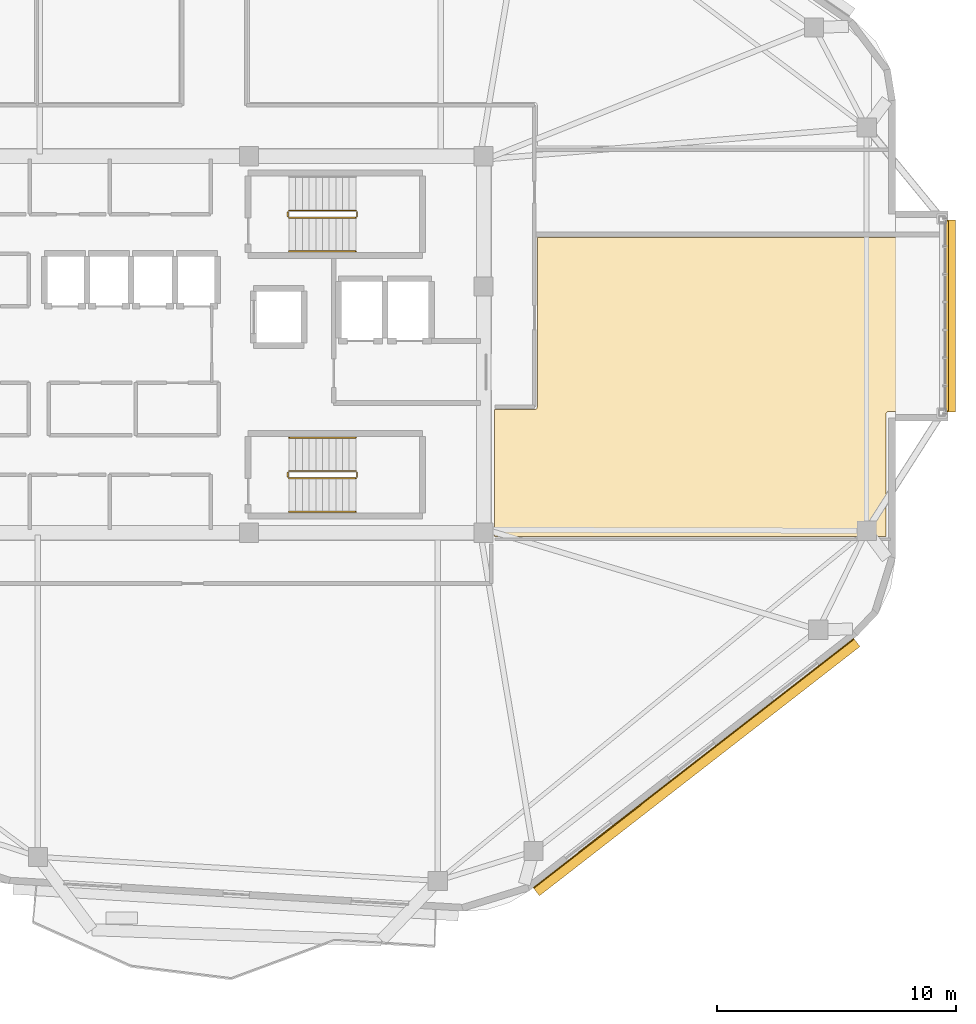
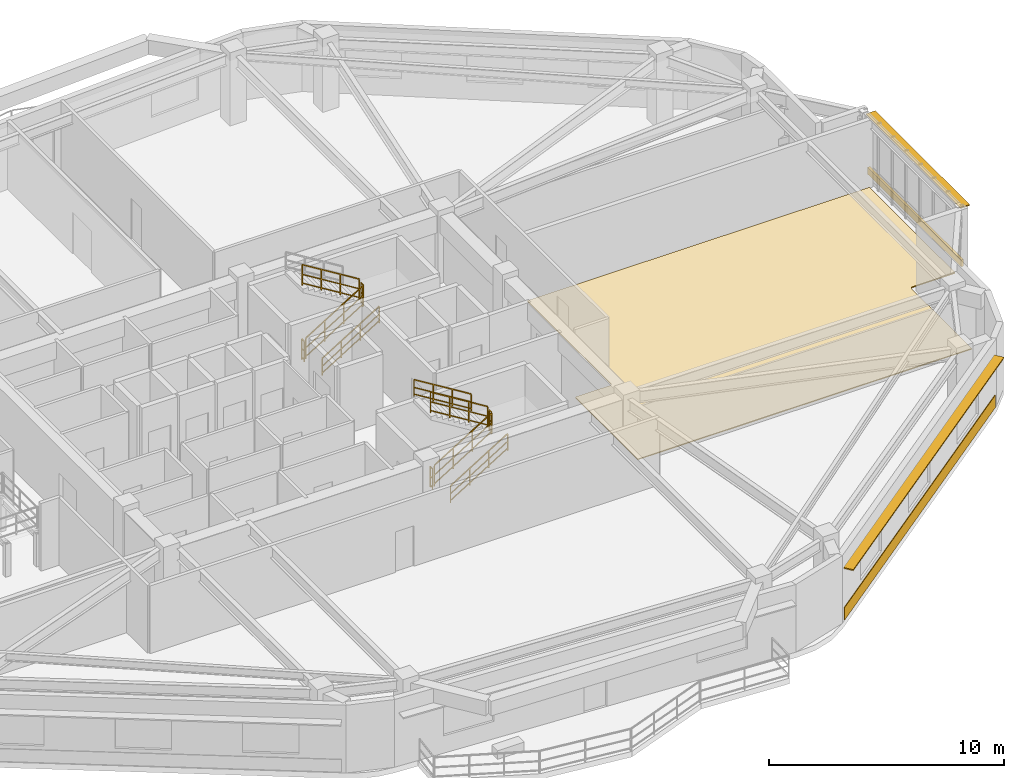
# One storey, part 17 of 18: 11 railings, 3 shading devices, 2 coverings.
"""IFC4 building model written with IfcOpenShell, lengths in metres."""

from ifc_helpers import new_model, si_unit, direction, frame, origin, origin_2d, place, context, subcontext, project, spatial, polyline, rectangle, outline, extrude, material, layer, layer_set, type_object, element, save


model = new_model("IFC4")

# Units and contexts
model_context = context("Model", 3, precision=1e-05, world=origin(), true_north=direction((0.0, 1.0)))
body_context = subcontext(model_context, "Body", "Model", "MODEL_VIEW")
ifc_project = project(units=[si_unit("LENGTHUNIT", "METRE"), si_unit("AREAUNIT", "SQUARE_METRE"), si_unit("VOLUMEUNIT", "CUBIC_METRE"), si_unit("PLANEANGLEUNIT", "RADIAN"), si_unit("MASSUNIT", "GRAM", prefix="KILO")], contexts=[model_context])

# Site, building, storey
site_placement = place(None, origin())
site = spatial("IfcSite", under=ifc_project, at=site_placement, CompositionType="ELEMENT")
building_placement = place(site_placement, origin())
building = spatial("IfcBuilding", under=site, at=building_placement, Name="Zulverin Broadcast Headquarters", CompositionType="ELEMENT")
storey_placement = place(building_placement, frame((0.0, 0.0, 225.0)))
storey = spatial("IfcBuildingStorey", under=building, at=storey_placement, Name="L57", CompositionType="ELEMENT", Elevation=225.0)

# Coverings
ifc_material_1 = material(Name="Brushed pale-aluminium rainscreen cladding", Category="aluminium")
ifc_layer_1 = layer(ifc_material_1, 0.0400390625, Name="Brushed pale-aluminium rainscreen cladding", Category="aluminium")
ifc_layer_set_1 = layer_set([ifc_layer_1], Name="Brushed pale-aluminium rainscreen cladding")
covering_type_1 = type_object("IfcCoveringType", Name="COV-CLAD-PALE", PredefinedType="CLADDING", material=ifc_layer_set_1)
covering_1_placement = place(storey_placement, frame((57.059326171875, 7.6767578125, 0.054931640625), z_axis=(0.0, 0.0, 1.0), x_axis=(0.789459183061, 0.613803061479, 0.0)))
element("IfcCovering", 1, at=covering_1_placement, inside=storey, type_object=covering_type_1, Name="L57 Brushed Pale-Aluminium Spandrel Cladding 2", PredefinedType="CLADDING", context=body_context, shape_type="SweptSolid", body=[
    extrude(rectangle(XDim=16.987548828125, YDim=0.0400390625, at=origin_2d()), origin(), (0.0, 0.0, 1.0), 0.64990234375),
])
ifc_material_2 = material(Name="Anti-static broadcast raised access flooring", Category="stone")
ifc_layer_2 = layer(ifc_material_2, 0.050048828125, Name="Anti-static broadcast raised access flooring", Category="stone")
ifc_layer_set_2 = layer_set([ifc_layer_2], Name="Anti-static broadcast raised access flooring")
covering_type_2 = type_object("IfcCoveringType", Name="COV-FLR-RAISED", PredefinedType="FLOORING", material=ifc_layer_set_2)
covering_2_placement = place(storey_placement, origin())
element("IfcCovering", 2, at=covering_2_placement, inside=storey, type_object=covering_type_2, Name="L57 Broadcast Raised Access Flooring 02", PredefinedType="FLOORING", context=body_context, shape_type="SweptSolid", body=[
    extrude(outline(polyline([(67.300048828125, 22.39208984375), (67.300048828125, 29.679931640625), (50.52001953125, 29.679931640625), (50.52001953125, 22.60009765625), (50.52001953125, 22.587890625), (50.51611328125, 22.575927734375), (50.51611328125, 22.56396484375), (50.511962890625, 22.555908203125), (50.50390625, 22.5439453125), (50.5, 22.531982421875), (50.491943359375, 22.52392578125), (50.48388671875, 22.51611328125), (50.47607421875, 22.508056640625), (50.468017578125, 22.5), (50.4560546875, 22.49609375), (50.444091796875, 22.488037109375), (50.43603515625, 22.48388671875), (50.424072265625, 22.48388671875), (50.412109375, 22.47998046875), (50.39990234375, 22.47998046875), (48.719970703125, 22.47998046875), (48.719970703125, 17.172119140625), (65.10009765625, 17.172119140625), (65.10009765625, 22.27197265625), (65.10009765625, 22.283935546875), (65.10400390625, 22.2958984375), (65.10400390625, 22.30810546875), (65.10791015625, 22.31591796875), (65.115966796875, 22.327880859375), (65.1201171875, 22.340087890625), (65.1279296875, 22.347900390625), (65.135986328125, 22.35595703125), (65.14404296875, 22.364013671875), (65.152099609375, 22.3720703125), (65.1640625, 22.3759765625), (65.176025390625, 22.384033203125), (65.18408203125, 22.387939453125), (65.196044921875, 22.387939453125), (65.2080078125, 22.39208984375), (65.219970703125, 22.39208984375), (67.300048828125, 22.39208984375)])), origin(), (0.0, 0.0, 1.0), 0.050048828125),
])

# Railings
ifc_material_3 = material(Name="Painted galvanized steel tubular guardrail S355JR", Category="steel")
railing_type_1 = type_object("IfcRailingType", Name="RL-ST-GUARD", PredefinedType="GUARDRAIL", material=ifc_material_3)
railing_1_placement = place(storey_placement, frame((40.1298828125, 30.5, 0.172607421875)))
element("IfcRailing", 3, at=railing_1_placement, inside=storey, type_object=railing_type_1, Name="L57 ST-1 stair guard 1", PredefinedType="GUARDRAIL", context=body_context, shape_type="SweptSolid", body=[
    extrude(rectangle(XDim=0.048095703125, YDim=0.048095703125, at=origin_2d()), frame((0.0, 0.0, 1.076171875), z_axis=(0.851089632645, 0.0, 0.525020415988), x_axis=(0.0, 1.0, 0.0)), (0.0, 0.0, 1.0), 3.2900390625),
    extrude(rectangle(XDim=0.0419921875, YDim=0.0419921875, at=origin_2d()), frame((0.0, 0.0, 0.572021484375), z_axis=(0.851089632645, 0.0, 0.525020415988), x_axis=(0.0, 1.0, 0.0)), (0.0, 0.0, 1.0), 3.2900390625),
    extrude(rectangle(XDim=0.0419921875, YDim=0.0419921875, at=origin_2d()), frame((0.0, 0.0, 0.1201171875), z_axis=(0.851089632645, 0.0, 0.525020415988), x_axis=(0.0, 1.0, 0.0)), (0.0, 0.0, 1.0), 3.2900390625),
    extrude(rectangle(XDim=0.0419921875, YDim=0.0419921875, at=origin_2d()), origin(), (0.0, 0.0, 1.0), 1.052001953125),
    extrude(rectangle(XDim=0.0419921875, YDim=0.0419921875, at=origin_2d()), frame((0.933349609375, 0.0, 0.57568359375)), (0.0, 0.0, 1.0), 1.052001953125),
    extrude(rectangle(XDim=0.0419921875, YDim=0.0419921875, at=origin_2d()), frame((1.86669921875, 0.0, 1.151611328125)), (0.0, 0.0, 1.0), 1.052001953125),
    extrude(rectangle(XDim=0.0419921875, YDim=0.0419921875, at=origin_2d()), frame((2.800048828125, 0.0, 1.727294921875)), (0.0, 0.0, 1.0), 1.052001953125),
])
railing_2_placement = place(storey_placement, frame((42.97998046875, 30.550048828125, 1.89990234375)))
element("IfcRailing", 4, at=railing_2_placement, inside=storey, type_object=railing_type_1, Name="L57 ST-1 stair guard 2", PredefinedType="GUARDRAIL", context=body_context, shape_type="SweptSolid", body=[
    extrude(rectangle(XDim=0.048095703125, YDim=0.048095703125, at=origin_2d()), frame((0.0, 0.0, 1.076171875), z_axis=(0.0, 1.0, 0.0), x_axis=(-1.0, 0.0, 0.0)), (0.0, 0.0, 1.0), 0.199951171875),
    extrude(rectangle(XDim=0.0419921875, YDim=0.0419921875, at=origin_2d()), frame((0.0, 0.0, 0.572021484375), z_axis=(0.0, 1.0, 0.0), x_axis=(-1.0, 0.0, 0.0)), (0.0, 0.0, 1.0), 0.199951171875),
    extrude(rectangle(XDim=0.0419921875, YDim=0.0419921875, at=origin_2d()), frame((0.0, 0.0, 0.1201171875), z_axis=(0.0, 1.0, 0.0), x_axis=(-1.0, 0.0, 0.0)), (0.0, 0.0, 1.0), 0.199951171875),
    extrude(rectangle(XDim=0.0419921875, YDim=0.0419921875, at=origin_2d()), origin(), (0.0, 0.0, 1.0), 1.052001953125),
    extrude(rectangle(XDim=0.0419921875, YDim=0.0419921875, at=origin_2d()), frame((0.0, 0.199951171875, 0.0)), (0.0, 0.0, 1.0), 1.052001953125),
])
railing_3_placement = place(storey_placement, frame((42.929931640625, 30.800048828125, 2.07275390625)))
element("IfcRailing", 5, at=railing_3_placement, inside=storey, type_object=railing_type_1, Name="L57 ST-1 stair guard 3", PredefinedType="GUARDRAIL", context=body_context, shape_type="SweptSolid", body=[
    extrude(rectangle(XDim=0.048095703125, YDim=0.048095703125, at=origin_2d()), frame((0.0, 0.0, 1.076171875), z_axis=(-0.851089632645, 0.0, 0.525020415988), x_axis=(0.0, -1.0, 0.0)), (0.0, 0.0, 1.0), 3.2900390625),
    extrude(rectangle(XDim=0.0419921875, YDim=0.0419921875, at=origin_2d()), frame((0.0, 0.0, 0.572021484375), z_axis=(-0.851089632645, 0.0, 0.525020415988), x_axis=(0.0, -1.0, 0.0)), (0.0, 0.0, 1.0), 3.2900390625),
    extrude(rectangle(XDim=0.0419921875, YDim=0.0419921875, at=origin_2d()), frame((0.0, 0.0, 0.1201171875), z_axis=(-0.851089632645, 0.0, 0.525020415988), x_axis=(0.0, -1.0, 0.0)), (0.0, 0.0, 1.0), 3.2900390625),
    extrude(rectangle(XDim=0.0419921875, YDim=0.0419921875, at=origin_2d()), origin(), (0.0, 0.0, 1.0), 1.052001953125),
    extrude(rectangle(XDim=0.0419921875, YDim=0.0419921875, at=origin_2d()), frame((-0.933349609375, 0.0, 0.57568359375)), (0.0, 0.0, 1.0), 1.052001953125),
    extrude(rectangle(XDim=0.0419921875, YDim=0.0419921875, at=origin_2d()), frame((-1.86669921875, 0.0, 1.151611328125)), (0.0, 0.0, 1.0), 1.052001953125),
    extrude(rectangle(XDim=0.0419921875, YDim=0.0419921875, at=origin_2d()), frame((-2.800048828125, 0.0, 1.727294921875)), (0.0, 0.0, 1.0), 1.052001953125),
])
railing_4_placement = place(storey_placement, frame((40.080078125, 30.550048828125, 0.0)))
element("IfcRailing", 6, at=railing_4_placement, inside=storey, type_object=railing_type_1, Name="L57 ST-1 stair guard 4", PredefinedType="GUARDRAIL", context=body_context, shape_type="SweptSolid", body=[
    extrude(rectangle(XDim=0.048095703125, YDim=0.048095703125, at=origin_2d()), frame((0.0, 0.0, 1.076171875), z_axis=(0.0, 1.0, 0.0), x_axis=(-1.0, 0.0, 0.0)), (0.0, 0.0, 1.0), 0.199951171875),
    extrude(rectangle(XDim=0.0419921875, YDim=0.0419921875, at=origin_2d()), frame((0.0, 0.0, 0.572021484375), z_axis=(0.0, 1.0, 0.0), x_axis=(-1.0, 0.0, 0.0)), (0.0, 0.0, 1.0), 0.199951171875),
    extrude(rectangle(XDim=0.0419921875, YDim=0.0419921875, at=origin_2d()), frame((0.0, 0.0, 0.1201171875), z_axis=(0.0, 1.0, 0.0), x_axis=(-1.0, 0.0, 0.0)), (0.0, 0.0, 1.0), 0.199951171875),
    extrude(rectangle(XDim=0.0419921875, YDim=0.0419921875, at=origin_2d()), origin(), (0.0, 0.0, 1.0), 1.052001953125),
    extrude(rectangle(XDim=0.0419921875, YDim=0.0419921875, at=origin_2d()), frame((0.0, 0.199951171875, 0.0)), (0.0, 0.0, 1.0), 1.052001953125),
])
railing_5_placement = place(storey_placement, frame((40.1298828125, 19.60009765625, 0.172607421875)))
element("IfcRailing", 7, at=railing_5_placement, inside=storey, type_object=railing_type_1, Name="L57 ST-2 stair guard 1", PredefinedType="GUARDRAIL", context=body_context, shape_type="SweptSolid", body=[
    extrude(rectangle(XDim=0.048095703125, YDim=0.048095703125, at=origin_2d()), frame((0.0, 0.0, 1.076171875), z_axis=(0.851089632645, 0.0, 0.525020415988), x_axis=(0.0, 1.0, 0.0)), (0.0, 0.0, 1.0), 3.2900390625),
    extrude(rectangle(XDim=0.0419921875, YDim=0.0419921875, at=origin_2d()), frame((0.0, 0.0, 0.572021484375), z_axis=(0.851089632645, 0.0, 0.525020415988), x_axis=(0.0, 1.0, 0.0)), (0.0, 0.0, 1.0), 3.2900390625),
    extrude(rectangle(XDim=0.0419921875, YDim=0.0419921875, at=origin_2d()), frame((0.0, 0.0, 0.1201171875), z_axis=(0.851089632645, 0.0, 0.525020415988), x_axis=(0.0, 1.0, 0.0)), (0.0, 0.0, 1.0), 3.2900390625),
    extrude(rectangle(XDim=0.0419921875, YDim=0.0419921875, at=origin_2d()), origin(), (0.0, 0.0, 1.0), 1.052001953125),
    extrude(rectangle(XDim=0.0419921875, YDim=0.0419921875, at=origin_2d()), frame((0.933349609375, 0.0, 0.57568359375)), (0.0, 0.0, 1.0), 1.052001953125),
    extrude(rectangle(XDim=0.0419921875, YDim=0.0419921875, at=origin_2d()), frame((1.86669921875, 0.0, 1.151611328125)), (0.0, 0.0, 1.0), 1.052001953125),
    extrude(rectangle(XDim=0.0419921875, YDim=0.0419921875, at=origin_2d()), frame((2.800048828125, 0.0, 1.727294921875)), (0.0, 0.0, 1.0), 1.052001953125),
])
railing_6_placement = place(storey_placement, frame((42.97998046875, 19.64990234375, 1.89990234375)))
element("IfcRailing", 8, at=railing_6_placement, inside=storey, type_object=railing_type_1, Name="L57 ST-2 stair guard 2", PredefinedType="GUARDRAIL", context=body_context, shape_type="SweptSolid", body=[
    extrude(rectangle(XDim=0.048095703125, YDim=0.048095703125, at=origin_2d()), frame((0.0, 0.0, 1.076171875), z_axis=(0.0, 1.0, 0.0), x_axis=(-1.0, 0.0, 0.0)), (0.0, 0.0, 1.0), 0.2001953125),
    extrude(rectangle(XDim=0.0419921875, YDim=0.0419921875, at=origin_2d()), frame((0.0, 0.0, 0.572021484375), z_axis=(0.0, 1.0, 0.0), x_axis=(-1.0, 0.0, 0.0)), (0.0, 0.0, 1.0), 0.2001953125),
    extrude(rectangle(XDim=0.0419921875, YDim=0.0419921875, at=origin_2d()), frame((0.0, 0.0, 0.1201171875), z_axis=(0.0, 1.0, 0.0), x_axis=(-1.0, 0.0, 0.0)), (0.0, 0.0, 1.0), 0.2001953125),
    extrude(rectangle(XDim=0.0419921875, YDim=0.0419921875, at=origin_2d()), origin(), (0.0, 0.0, 1.0), 1.052001953125),
    extrude(rectangle(XDim=0.0419921875, YDim=0.0419921875, at=origin_2d()), frame((0.0, 0.2001953125, 0.0)), (0.0, 0.0, 1.0), 1.052001953125),
])
railing_7_placement = place(storey_placement, frame((42.929931640625, 19.89990234375, 2.07275390625)))
element("IfcRailing", 9, at=railing_7_placement, inside=storey, type_object=railing_type_1, Name="L57 ST-2 stair guard 3", PredefinedType="GUARDRAIL", context=body_context, shape_type="SweptSolid", body=[
    extrude(rectangle(XDim=0.048095703125, YDim=0.048095703125, at=origin_2d()), frame((0.0, 0.0, 1.076171875), z_axis=(-0.851089632645, 0.0, 0.525020415988), x_axis=(0.0, -1.0, 0.0)), (0.0, 0.0, 1.0), 3.2900390625),
    extrude(rectangle(XDim=0.0419921875, YDim=0.0419921875, at=origin_2d()), frame((0.0, 0.0, 0.572021484375), z_axis=(-0.851089632645, 0.0, 0.525020415988), x_axis=(0.0, -1.0, 0.0)), (0.0, 0.0, 1.0), 3.2900390625),
    extrude(rectangle(XDim=0.0419921875, YDim=0.0419921875, at=origin_2d()), frame((0.0, 0.0, 0.1201171875), z_axis=(-0.851089632645, 0.0, 0.525020415988), x_axis=(0.0, -1.0, 0.0)), (0.0, 0.0, 1.0), 3.2900390625),
    extrude(rectangle(XDim=0.0419921875, YDim=0.0419921875, at=origin_2d()), origin(), (0.0, 0.0, 1.0), 1.052001953125),
    extrude(rectangle(XDim=0.0419921875, YDim=0.0419921875, at=origin_2d()), frame((-0.933349609375, 0.0, 0.57568359375)), (0.0, 0.0, 1.0), 1.052001953125),
    extrude(rectangle(XDim=0.0419921875, YDim=0.0419921875, at=origin_2d()), frame((-1.86669921875, 0.0, 1.151611328125)), (0.0, 0.0, 1.0), 1.052001953125),
    extrude(rectangle(XDim=0.0419921875, YDim=0.0419921875, at=origin_2d()), frame((-2.800048828125, 0.0, 1.727294921875)), (0.0, 0.0, 1.0), 1.052001953125),
])
railing_8_placement = place(storey_placement, frame((40.080078125, 19.64990234375, 0.0)))
element("IfcRailing", 10, at=railing_8_placement, inside=storey, type_object=railing_type_1, Name="L57 ST-2 stair guard 4", PredefinedType="GUARDRAIL", context=body_context, shape_type="SweptSolid", body=[
    extrude(rectangle(XDim=0.048095703125, YDim=0.048095703125, at=origin_2d()), frame((0.0, 0.0, 1.076171875), z_axis=(0.0, 1.0, 0.0), x_axis=(-1.0, 0.0, 0.0)), (0.0, 0.0, 1.0), 0.2001953125),
    extrude(rectangle(XDim=0.0419921875, YDim=0.0419921875, at=origin_2d()), frame((0.0, 0.0, 0.572021484375), z_axis=(0.0, 1.0, 0.0), x_axis=(-1.0, 0.0, 0.0)), (0.0, 0.0, 1.0), 0.2001953125),
    extrude(rectangle(XDim=0.0419921875, YDim=0.0419921875, at=origin_2d()), frame((0.0, 0.0, 0.1201171875), z_axis=(0.0, 1.0, 0.0), x_axis=(-1.0, 0.0, 0.0)), (0.0, 0.0, 1.0), 0.2001953125),
    extrude(rectangle(XDim=0.0419921875, YDim=0.0419921875, at=origin_2d()), origin(), (0.0, 0.0, 1.0), 1.052001953125),
    extrude(rectangle(XDim=0.0419921875, YDim=0.0419921875, at=origin_2d()), frame((0.0, 0.2001953125, 0.0)), (0.0, 0.0, 1.0), 1.052001953125),
])
ifc_material_4 = material(Name="Brushed stainless steel 48 mm handrail", Category="steel")
railing_type_2 = type_object("IfcRailingType", Name="RL-ST-HAND", PredefinedType="HANDRAIL", material=ifc_material_4)
for number, where, name in (
    (11, (40.1298828125, 29.10009765625, 0.172607421875), "L57 ST-1 stair handrail 1"),
    (12, (40.1298828125, 18.199951171875, 0.172607421875), "L57 ST-2 stair handrail 1"),
):
    element("IfcRailing", number, at=place(storey_placement, frame(where)), inside=storey, type_object=railing_type_2, Name=name, PredefinedType="HANDRAIL", context=body_context, shape_type="SweptSolid", body=[
        extrude(rectangle(XDim=0.048095703125, YDim=0.048095703125, at=origin_2d()), frame((0.0, 0.0, 0.8759765625), z_axis=(0.851089632645, 0.0, 0.525020415988), x_axis=(0.0, 1.0, 0.0)), (0.0, 0.0, 1.0), 3.2900390625),
        extrude(rectangle(XDim=0.0419921875, YDim=0.0419921875, at=origin_2d()), frame((0.0, 0.0, 0.468017578125), z_axis=(0.851089632645, 0.0, 0.525020415988), x_axis=(0.0, 1.0, 0.0)), (0.0, 0.0, 1.0), 3.2900390625),
        extrude(rectangle(XDim=0.0419921875, YDim=0.0419921875, at=origin_2d()), frame((0.0, 0.0, 0.1201171875), z_axis=(0.851089632645, 0.0, 0.525020415988), x_axis=(0.0, 1.0, 0.0)), (0.0, 0.0, 1.0), 3.2900390625),
        extrude(rectangle(XDim=0.0419921875, YDim=0.0419921875, at=origin_2d()), origin(), (0.0, 0.0, 1.0), 0.851806640625),
        extrude(rectangle(XDim=0.0419921875, YDim=0.0419921875, at=origin_2d()), frame((0.933349609375, 0.0, 0.57568359375)), (0.0, 0.0, 1.0), 0.851806640625),
        extrude(rectangle(XDim=0.0419921875, YDim=0.0419921875, at=origin_2d()), frame((1.86669921875, 0.0, 1.151611328125)), (0.0, 0.0, 1.0), 0.851806640625),
        extrude(rectangle(XDim=0.0419921875, YDim=0.0419921875, at=origin_2d()), frame((2.800048828125, 0.0, 1.727294921875)), (0.0, 0.0, 1.0), 0.851806640625),
    ])
railing_9_placement = place(storey_placement, frame((42.929931640625, 21.300048828125, 2.07275390625)))
element("IfcRailing", 13, at=railing_9_placement, inside=storey, type_object=railing_type_2, Name="L57 ST-2 stair handrail 2", PredefinedType="HANDRAIL", context=body_context, shape_type="SweptSolid", body=[
    extrude(rectangle(XDim=0.048095703125, YDim=0.048095703125, at=origin_2d()), frame((0.0, 0.0, 0.8759765625), z_axis=(-0.851089632645, 0.0, 0.525020415988), x_axis=(0.0, -1.0, 0.0)), (0.0, 0.0, 1.0), 3.2900390625),
    extrude(rectangle(XDim=0.0419921875, YDim=0.0419921875, at=origin_2d()), frame((0.0, 0.0, 0.468017578125), z_axis=(-0.851089632645, 0.0, 0.525020415988), x_axis=(0.0, -1.0, 0.0)), (0.0, 0.0, 1.0), 3.2900390625),
    extrude(rectangle(XDim=0.0419921875, YDim=0.0419921875, at=origin_2d()), frame((0.0, 0.0, 0.1201171875), z_axis=(-0.851089632645, 0.0, 0.525020415988), x_axis=(0.0, -1.0, 0.0)), (0.0, 0.0, 1.0), 3.2900390625),
    extrude(rectangle(XDim=0.0419921875, YDim=0.0419921875, at=origin_2d()), origin(), (0.0, 0.0, 1.0), 0.851806640625),
    extrude(rectangle(XDim=0.0419921875, YDim=0.0419921875, at=origin_2d()), frame((-0.933349609375, 0.0, 0.57568359375)), (0.0, 0.0, 1.0), 0.851806640625),
    extrude(rectangle(XDim=0.0419921875, YDim=0.0419921875, at=origin_2d()), frame((-1.86669921875, 0.0, 1.151611328125)), (0.0, 0.0, 1.0), 0.851806640625),
    extrude(rectangle(XDim=0.0419921875, YDim=0.0419921875, at=origin_2d()), frame((-2.800048828125, 0.0, 1.727294921875)), (0.0, 0.0, 1.0), 0.851806640625),
])

# Shading devices
ifc_material_5 = material(Name="Anodized pale-metal aluminium acoustic louvre", Category="aluminium")
shading_device_type_1 = type_object("IfcShadingDeviceType", Name="SHD-LOUVRE-350", PredefinedType="USERDEFINED", material=ifc_material_5)
shading_device_1_placement = place(storey_placement, frame((67.659912109375, 26.389892578125, 0.224853515625), z_axis=(0.0, 0.0, 1.0), x_axis=(0.0, 1.0, 0.0)))
element("IfcShadingDevice", 14, at=shading_device_1_placement, inside=storey, type_object=shading_device_type_1, Name="L57 Pale-Metal Acoustic Louvre Screen CW-L57-SBOX_SKY2_E-F", ObjectType="LOUVRE", PredefinedType="USERDEFINED", context=body_context, shape_type="SweptSolid", body=[
    extrude(rectangle(XDim=7.93994140625, YDim=0.1201171875, at=origin_2d()), origin(), (0.0, 0.0, 1.0), 0.35009765625),
])
ifc_material_6 = material(Name="Anodized pale-metal aluminium sunshade", Category="aluminium")
ifc_layer_3 = layer(ifc_material_6, 0.06005859375, Name="Anodized pale-metal aluminium sunshade", Category="aluminium")
ifc_layer_set_3 = layer_set([ifc_layer_3], Name="Anodized pale-metal aluminium sunshade")
shading_device_type_2 = type_object("IfcShadingDeviceType", Name="SS-01_PALE_METAL_ALUMINIUM_SUNSHADE", PredefinedType="USERDEFINED", material=ifc_layer_set_3)
shading_device_2_placement = place(storey_placement, frame((57.176025390625, 7.52685546875, 2.7099609375), z_axis=(0.0, 0.0, 1.0), x_axis=(0.789459183061, 0.613803061479, 0.0)))
element("IfcShadingDevice", 15, at=shading_device_2_placement, inside=storey, type_object=shading_device_type_2, Name="L57 Horizontal Pale-Metal Sunshade Band 2", ObjectType="SUNSHADE", PredefinedType="USERDEFINED", context=body_context, shape_type="SweptSolid", body=[
    extrude(rectangle(XDim=16.987548828125, YDim=0.449951171875, at=origin_2d()), origin(), (0.0, 0.0, 1.0), 0.06005859375),
])
shading_device_3_placement = place(storey_placement, frame((67.780029296875, 26.389892578125, 3.280029296875), z_axis=(0.0, 0.0, 1.0), x_axis=(0.0, 1.0, 0.0)))
element("IfcShadingDevice", 16, at=shading_device_3_placement, inside=storey, type_object=shading_device_type_2, Name="L57 Pale-Metal Horizontal Sunshade Band CW-L57-SBOX_SKY2_E-F", ObjectType="SUNSHADE", PredefinedType="USERDEFINED", context=body_context, shape_type="SweptSolid", body=[
    extrude(rectangle(XDim=8.02001953125, YDim=0.449951171875, at=origin_2d()), origin(), (0.0, 0.0, 1.0), 0.06005859375),
])

save(model, "model.ifc")
